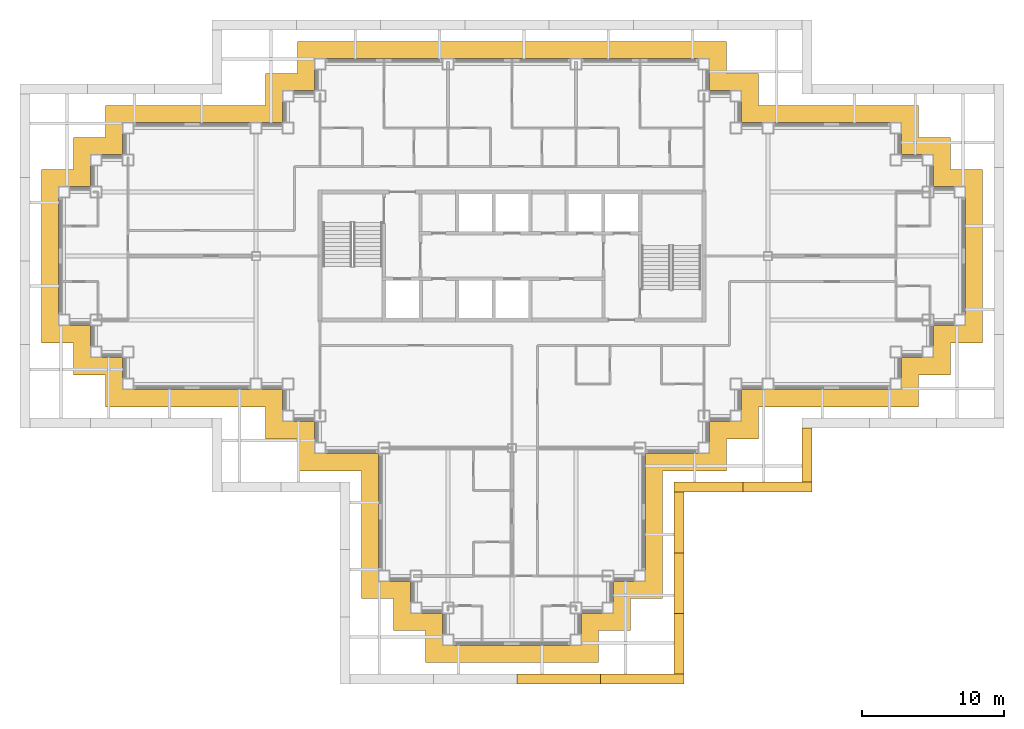
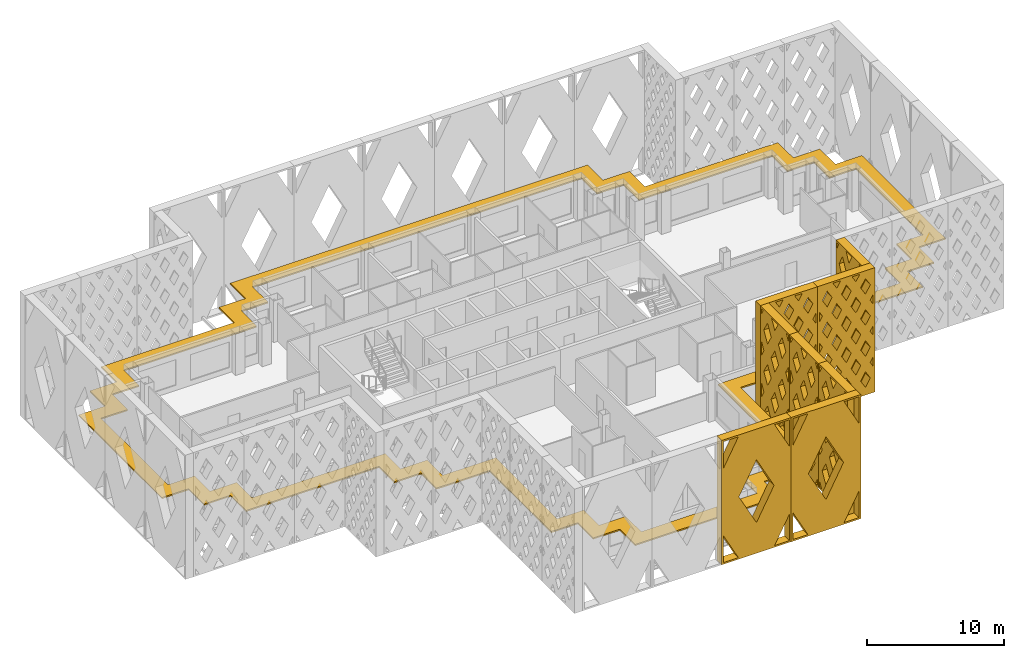
# One storey, part 15 of 18: 9 shading devices.
"""IFC4 building model written with IfcOpenShell, lengths in metres."""

from ifc_helpers import new_model, si_unit, direction, frame, origin, place, context, subcontext, project, spatial, polyline, outline, extrude, material, layer, layer_set, type_object, element, save


model = new_model("IFC4")

# Units and contexts
model_context = context("Model", 3, precision=1e-05, world=origin(), true_north=direction((0.0, 1.0)))
body_context = subcontext(model_context, "Body", "Model", "MODEL_VIEW")
ifc_project = project(units=[si_unit("LENGTHUNIT", "METRE"), si_unit("AREAUNIT", "SQUARE_METRE"), si_unit("VOLUMEUNIT", "CUBIC_METRE"), si_unit("PLANEANGLEUNIT", "RADIAN"), si_unit("MASSUNIT", "GRAM", prefix="KILO")], contexts=[model_context])

# Site, building, storey
site_placement = place(None, origin())
site = spatial("IfcSite", under=ifc_project, at=site_placement, CompositionType="ELEMENT")
building_placement = place(site_placement, origin())
building = spatial("IfcBuilding", under=site, at=building_placement, Name="Caravel Reach Hotel and Residences", CompositionType="ELEMENT")
storey_placement = place(building_placement, frame((0.0, 0.0, 165.39990234375)))
storey = spatial("IfcBuildingStorey", under=building, at=storey_placement, Name="L41", CompositionType="ELEMENT", Elevation=165.39990234375)

# Shading devices
ifc_material_1 = material(Name="Black powder-coated aluminium", Category="aluminium")
shading_device_type_1 = type_object("IfcShadingDeviceType", Name="Diamond lattice screen panel 3800 x 11100", PredefinedType="USERDEFINED", material=ifc_material_1)
shading_device_1_placement = place(storey_placement, frame((51.89990234375, 11.10009765625, 0.0), z_axis=(1.0, 0.0, 0.0), x_axis=(0.0, 1.0, 0.0)))
element("IfcShadingDevice", 1, at=shading_device_1_placement, inside=storey, type_object=shading_device_type_1, Name="Lattice screen L41-L43 5.1", ObjectType="SCREEN", PredefinedType="USERDEFINED", context=body_context, shape_type="SweptSolid", body=[
    extrude(outline(polyline([(0.0, 0.0), (3.800048828125, 0.0), (3.800048828125, 11.10009765625), (0.0, 11.10009765625), (0.0, 0.0)]), holes=[polyline([(0.412109375, 0.14990234375), (0.14990234375, 0.660400390625), (0.14990234375, 0.14990234375), (0.412109375, 0.14990234375)]), polyline([(0.4892578125, 3.699951171875), (0.14990234375, 4.3603515625), (0.14990234375, 3.03955078125), (0.4892578125, 3.699951171875)]), polyline([(0.4892578125, 7.39990234375), (0.14990234375, 8.060302734375), (0.14990234375, 6.739501953125), (0.4892578125, 7.39990234375)]), polyline([(0.14990234375, 10.439697265625), (0.412109375, 10.949951171875), (0.14990234375, 10.949951171875), (0.14990234375, 10.439697265625)]), polyline([(0.949951171875, 2.802490234375), (0.4609375, 1.85009765625), (0.949951171875, 0.8974609375), (1.439208984375, 1.85009765625), (0.949951171875, 2.802490234375)]), polyline([(0.949951171875, 6.50244140625), (0.4609375, 5.550048828125), (0.949951171875, 4.597412109375), (1.439208984375, 5.550048828125), (0.949951171875, 6.50244140625)]), polyline([(0.949951171875, 10.20263671875), (0.4609375, 9.25), (0.949951171875, 8.29736328125), (1.439208984375, 9.25), (0.949951171875, 10.20263671875)]), polyline([(1.89990234375, 0.95263671875), (1.48779296875, 0.14990234375), (2.31201171875, 0.14990234375), (1.89990234375, 0.95263671875)]), polyline([(1.89990234375, 4.652587890625), (1.410888671875, 3.699951171875), (1.89990234375, 2.74755859375), (2.38916015625, 3.699951171875), (1.89990234375, 4.652587890625)]), polyline([(1.89990234375, 8.3525390625), (1.410888671875, 7.39990234375), (1.89990234375, 6.447509765625), (2.38916015625, 7.39990234375), (1.89990234375, 8.3525390625)]), polyline([(1.89990234375, 10.1474609375), (2.31201171875, 10.949951171875), (1.48779296875, 10.949951171875), (1.89990234375, 10.1474609375)]), polyline([(2.85009765625, 2.802490234375), (2.36083984375, 1.85009765625), (2.85009765625, 0.8974609375), (3.339111328125, 1.85009765625), (2.85009765625, 2.802490234375)]), polyline([(2.85009765625, 6.50244140625), (2.36083984375, 5.550048828125), (2.85009765625, 4.597412109375), (3.339111328125, 5.550048828125), (2.85009765625, 6.50244140625)]), polyline([(2.85009765625, 10.20263671875), (2.36083984375, 9.25), (2.85009765625, 8.29736328125), (3.339111328125, 9.25), (2.85009765625, 10.20263671875)]), polyline([(3.64990234375, 0.660400390625), (3.387939453125, 0.14990234375), (3.64990234375, 0.14990234375), (3.64990234375, 0.660400390625)]), polyline([(3.310791015625, 3.699951171875), (3.64990234375, 3.03955078125), (3.64990234375, 4.3603515625), (3.310791015625, 3.699951171875)]), polyline([(3.310791015625, 7.39990234375), (3.64990234375, 6.739501953125), (3.64990234375, 8.060302734375), (3.310791015625, 7.39990234375)]), polyline([(3.387939453125, 10.949951171875), (3.64990234375, 10.439697265625), (3.64990234375, 10.949951171875), (3.387939453125, 10.949951171875)])]), origin(), (0.0, 0.0, 1.0), 0.7001953125),
])
ifc_material_2 = material(Name="Black powder-coated aluminium", Category="aluminium")
shading_device_type_2 = type_object("IfcShadingDeviceType", Name="Diamond lattice screen panel 4267 x 11100", PredefinedType="USERDEFINED", material=ifc_material_2)
shading_device_2_placement = place(storey_placement, frame((42.89990234375, -2.39990234375, 0.0), z_axis=(1.0, 0.0, 0.0), x_axis=(0.0, 1.0, 0.0)))
element("IfcShadingDevice", 2, at=shading_device_2_placement, inside=storey, type_object=shading_device_type_2, Name="Lattice screen L41-L43 3.1", ObjectType="SCREEN", PredefinedType="USERDEFINED", context=body_context, shape_type="SweptSolid", body=[
    extrude(outline(polyline([(0.0, 0.0), (4.2666015625, 0.0), (4.2666015625, 11.10009765625), (0.0, 11.10009765625), (0.0, 0.0)]), holes=[polyline([(0.45947265625, 0.14990234375), (0.14990234375, 0.6865234375), (0.14990234375, 0.14990234375), (0.45947265625, 0.14990234375)]), polyline([(0.5458984375, 3.699951171875), (0.14990234375, 4.386474609375), (0.14990234375, 3.013427734375), (0.5458984375, 3.699951171875)]), polyline([(0.5458984375, 7.39990234375), (0.14990234375, 8.086669921875), (0.14990234375, 6.71337890625), (0.5458984375, 7.39990234375)]), polyline([(0.14990234375, 10.413330078125), (0.45947265625, 10.949951171875), (0.14990234375, 10.949951171875), (0.14990234375, 10.413330078125)]), polyline([(1.066650390625, 2.796630859375), (0.520751953125, 1.85009765625), (1.066650390625, 0.9033203125), (1.612548828125, 1.85009765625), (1.066650390625, 2.796630859375)]), polyline([(1.066650390625, 6.496826171875), (0.520751953125, 5.550048828125), (1.066650390625, 4.603271484375), (1.612548828125, 5.550048828125), (1.066650390625, 6.496826171875)]), polyline([(1.066650390625, 10.19677734375), (0.520751953125, 9.25), (1.066650390625, 8.30322265625), (1.612548828125, 9.25), (1.066650390625, 10.19677734375)]), polyline([(2.13330078125, 0.94677734375), (1.674072265625, 0.14990234375), (2.5927734375, 0.14990234375), (2.13330078125, 0.94677734375)]), polyline([(2.13330078125, 4.646728515625), (1.58740234375, 3.699951171875), (2.13330078125, 2.753173828125), (2.67919921875, 3.699951171875), (2.13330078125, 4.646728515625)]), polyline([(2.13330078125, 8.3466796875), (1.58740234375, 7.39990234375), (2.13330078125, 6.453369140625), (2.67919921875, 7.39990234375), (2.13330078125, 8.3466796875)]), polyline([(2.13330078125, 10.1533203125), (2.5927734375, 10.949951171875), (1.674072265625, 10.949951171875), (2.13330078125, 10.1533203125)]), polyline([(3.199951171875, 2.796630859375), (2.654052734375, 1.85009765625), (3.199951171875, 0.9033203125), (3.745849609375, 1.85009765625), (3.199951171875, 2.796630859375)]), polyline([(3.199951171875, 6.496826171875), (2.654052734375, 5.550048828125), (3.199951171875, 4.603271484375), (3.745849609375, 5.550048828125), (3.199951171875, 6.496826171875)]), polyline([(3.199951171875, 10.19677734375), (2.654052734375, 9.25), (3.199951171875, 8.30322265625), (3.745849609375, 9.25), (3.199951171875, 10.19677734375)]), polyline([(4.11669921875, 0.6865234375), (3.807373046875, 0.14990234375), (4.11669921875, 0.14990234375), (4.11669921875, 0.6865234375)]), polyline([(3.720703125, 3.699951171875), (4.11669921875, 3.013427734375), (4.11669921875, 4.386474609375), (3.720703125, 3.699951171875)]), polyline([(3.720703125, 7.39990234375), (4.11669921875, 6.71337890625), (4.11669921875, 8.086669921875), (3.720703125, 7.39990234375)]), polyline([(3.807373046875, 10.949951171875), (4.11669921875, 10.413330078125), (4.11669921875, 10.949951171875), (3.807373046875, 10.949951171875)])]), origin(), (0.0, 0.0, 1.0), 0.7001953125),
])
shading_device_3_placement = place(storey_placement, frame((42.89990234375, 1.86669921875, 0.0), z_axis=(1.0, 0.0, 0.0), x_axis=(0.0, 1.0, 0.0)))
element("IfcShadingDevice", 3, at=shading_device_3_placement, inside=storey, type_object=shading_device_type_2, Name="Lattice screen L41-L43 3.2", ObjectType="SCREEN", PredefinedType="USERDEFINED", context=body_context, shape_type="SweptSolid", body=[
    extrude(outline(polyline([(0.0, 0.0), (4.2666015625, 0.0), (4.2666015625, 11.10009765625), (0.0, 11.10009765625), (0.0, 0.0)]), holes=[polyline([(0.45947265625, 0.14990234375), (0.14990234375, 0.6865234375), (0.14990234375, 0.14990234375), (0.45947265625, 0.14990234375)]), polyline([(0.5458984375, 3.699951171875), (0.14990234375, 4.386474609375), (0.14990234375, 3.013427734375), (0.5458984375, 3.699951171875)]), polyline([(0.5458984375, 7.39990234375), (0.14990234375, 8.086669921875), (0.14990234375, 6.71337890625), (0.5458984375, 7.39990234375)]), polyline([(0.14990234375, 10.413330078125), (0.45947265625, 10.949951171875), (0.14990234375, 10.949951171875), (0.14990234375, 10.413330078125)]), polyline([(1.066650390625, 2.796630859375), (0.520751953125, 1.85009765625), (1.066650390625, 0.9033203125), (1.612548828125, 1.85009765625), (1.066650390625, 2.796630859375)]), polyline([(1.066650390625, 6.496826171875), (0.520751953125, 5.550048828125), (1.066650390625, 4.603271484375), (1.612548828125, 5.550048828125), (1.066650390625, 6.496826171875)]), polyline([(1.066650390625, 10.19677734375), (0.520751953125, 9.25), (1.066650390625, 8.30322265625), (1.612548828125, 9.25), (1.066650390625, 10.19677734375)]), polyline([(2.13330078125, 0.94677734375), (1.674072265625, 0.14990234375), (2.5927734375, 0.14990234375), (2.13330078125, 0.94677734375)]), polyline([(2.13330078125, 4.646728515625), (1.58740234375, 3.699951171875), (2.13330078125, 2.753173828125), (2.67919921875, 3.699951171875), (2.13330078125, 4.646728515625)]), polyline([(2.13330078125, 8.3466796875), (1.58740234375, 7.39990234375), (2.13330078125, 6.453369140625), (2.67919921875, 7.39990234375), (2.13330078125, 8.3466796875)]), polyline([(2.13330078125, 10.1533203125), (2.5927734375, 10.949951171875), (1.674072265625, 10.949951171875), (2.13330078125, 10.1533203125)]), polyline([(3.199951171875, 2.796630859375), (2.654052734375, 1.85009765625), (3.199951171875, 0.9033203125), (3.745849609375, 1.85009765625), (3.199951171875, 2.796630859375)]), polyline([(3.199951171875, 6.496826171875), (2.654052734375, 5.550048828125), (3.199951171875, 4.603271484375), (3.745849609375, 5.550048828125), (3.199951171875, 6.496826171875)]), polyline([(3.199951171875, 10.19677734375), (2.654052734375, 9.25), (3.199951171875, 8.30322265625), (3.745849609375, 9.25), (3.199951171875, 10.19677734375)]), polyline([(4.11669921875, 0.6865234375), (3.807373046875, 0.14990234375), (4.11669921875, 0.14990234375), (4.11669921875, 0.6865234375)]), polyline([(3.720703125, 3.699951171875), (4.11669921875, 3.013427734375), (4.11669921875, 4.386474609375), (3.720703125, 3.699951171875)]), polyline([(3.720703125, 7.39990234375), (4.11669921875, 6.71337890625), (4.11669921875, 8.086669921875), (3.720703125, 7.39990234375)]), polyline([(3.807373046875, 10.949951171875), (4.11669921875, 10.413330078125), (4.11669921875, 10.949951171875), (3.807373046875, 10.949951171875)])]), origin(), (0.0, 0.0, 1.0), 0.7001953125),
])
shading_device_4_placement = place(storey_placement, frame((42.89990234375, 6.13330078125, 0.0), z_axis=(1.0, 0.0, 0.0), x_axis=(0.0, 1.0, 0.0)))
element("IfcShadingDevice", 4, at=shading_device_4_placement, inside=storey, type_object=shading_device_type_2, Name="Lattice screen L41-L43 3.3", ObjectType="SCREEN", PredefinedType="USERDEFINED", context=body_context, shape_type="SweptSolid", body=[
    extrude(outline(polyline([(0.0, 0.0), (4.2666015625, 0.0), (4.2666015625, 11.10009765625), (0.0, 11.10009765625), (0.0, 0.0)]), holes=[polyline([(0.45947265625, 0.14990234375), (0.14990234375, 0.6865234375), (0.14990234375, 0.14990234375), (0.45947265625, 0.14990234375)]), polyline([(0.5458984375, 3.699951171875), (0.14990234375, 4.386474609375), (0.14990234375, 3.013427734375), (0.5458984375, 3.699951171875)]), polyline([(0.5458984375, 7.39990234375), (0.14990234375, 8.086669921875), (0.14990234375, 6.71337890625), (0.5458984375, 7.39990234375)]), polyline([(0.14990234375, 10.413330078125), (0.45947265625, 10.949951171875), (0.14990234375, 10.949951171875), (0.14990234375, 10.413330078125)]), polyline([(1.066650390625, 2.796630859375), (0.520751953125, 1.85009765625), (1.066650390625, 0.9033203125), (1.612548828125, 1.85009765625), (1.066650390625, 2.796630859375)]), polyline([(1.066650390625, 6.496826171875), (0.520751953125, 5.550048828125), (1.066650390625, 4.603271484375), (1.612548828125, 5.550048828125), (1.066650390625, 6.496826171875)]), polyline([(1.066650390625, 10.19677734375), (0.520751953125, 9.25), (1.066650390625, 8.30322265625), (1.612548828125, 9.25), (1.066650390625, 10.19677734375)]), polyline([(2.13330078125, 0.94677734375), (1.674072265625, 0.14990234375), (2.5927734375, 0.14990234375), (2.13330078125, 0.94677734375)]), polyline([(2.13330078125, 4.646728515625), (1.58740234375, 3.699951171875), (2.13330078125, 2.753173828125), (2.67919921875, 3.699951171875), (2.13330078125, 4.646728515625)]), polyline([(2.13330078125, 8.3466796875), (1.58740234375, 7.39990234375), (2.13330078125, 6.453369140625), (2.67919921875, 7.39990234375), (2.13330078125, 8.3466796875)]), polyline([(2.13330078125, 10.1533203125), (2.5927734375, 10.949951171875), (1.674072265625, 10.949951171875), (2.13330078125, 10.1533203125)]), polyline([(3.199951171875, 2.796630859375), (2.654052734375, 1.85009765625), (3.199951171875, 0.9033203125), (3.745849609375, 1.85009765625), (3.199951171875, 2.796630859375)]), polyline([(3.199951171875, 6.496826171875), (2.654052734375, 5.550048828125), (3.199951171875, 4.603271484375), (3.745849609375, 5.550048828125), (3.199951171875, 6.496826171875)]), polyline([(3.199951171875, 10.19677734375), (2.654052734375, 9.25), (3.199951171875, 8.30322265625), (3.745849609375, 9.25), (3.199951171875, 10.19677734375)]), polyline([(4.11669921875, 0.6865234375), (3.807373046875, 0.14990234375), (4.11669921875, 0.14990234375), (4.11669921875, 0.6865234375)]), polyline([(3.720703125, 3.699951171875), (4.11669921875, 3.013427734375), (4.11669921875, 4.386474609375), (3.720703125, 3.699951171875)]), polyline([(3.720703125, 7.39990234375), (4.11669921875, 6.71337890625), (4.11669921875, 8.086669921875), (3.720703125, 7.39990234375)]), polyline([(3.807373046875, 10.949951171875), (4.11669921875, 10.413330078125), (4.11669921875, 10.949951171875), (3.807373046875, 10.949951171875)])]), origin(), (0.0, 0.0, 1.0), 0.7001953125),
])
ifc_material_3 = material(Name="Black powder-coated aluminium", Category="aluminium")
shading_device_type_3 = type_object("IfcShadingDeviceType", Name="Diamond lattice screen panel 4850 x 11100", PredefinedType="USERDEFINED", material=ifc_material_3)
shading_device_5_placement = place(storey_placement, frame((42.89990234375, 11.10009765625, 0.0), z_axis=(0.0, -1.0, 0.0), x_axis=(1.0, 0.0, 0.0)))
element("IfcShadingDevice", 5, at=shading_device_5_placement, inside=storey, type_object=shading_device_type_3, Name="Lattice screen L41-L43 4.1", ObjectType="SCREEN", PredefinedType="USERDEFINED", context=body_context, shape_type="SweptSolid", body=[
    extrude(outline(polyline([(0.0, 0.0), (4.85009765625, 0.0), (4.85009765625, 11.10009765625), (0.0, 11.10009765625), (0.0, 0.0)]), holes=[polyline([(0.41064453125, 2.77490234375), (0.14990234375, 3.22265625), (0.14990234375, 2.327392578125), (0.41064453125, 2.77490234375)]), polyline([(0.41064453125, 5.550048828125), (0.14990234375, 5.99755859375), (0.14990234375, 5.1025390625), (0.41064453125, 5.550048828125)]), polyline([(0.41064453125, 8.324951171875), (0.14990234375, 8.7724609375), (0.14990234375, 7.87744140625), (0.41064453125, 8.324951171875)]), polyline([(0.808349609375, 2.092529296875), (0.397705078125, 1.387451171875), (0.808349609375, 0.682373046875), (1.218994140625, 1.387451171875), (0.808349609375, 2.092529296875)]), polyline([(0.808349609375, 4.867431640625), (0.397705078125, 4.16259765625), (0.808349609375, 3.45751953125), (1.218994140625, 4.16259765625), (0.808349609375, 4.867431640625)]), polyline([(0.808349609375, 7.642578125), (0.397705078125, 6.9375), (0.808349609375, 6.232421875), (1.218994140625, 6.9375), (0.808349609375, 7.642578125)]), polyline([(0.808349609375, 10.41748046875), (0.397705078125, 9.71240234375), (0.808349609375, 9.007568359375), (1.218994140625, 9.71240234375), (0.808349609375, 10.41748046875)]), polyline([(1.61669921875, 0.705078125), (1.293212890625, 0.14990234375), (1.93994140625, 0.14990234375), (1.61669921875, 0.705078125)]), polyline([(1.61669921875, 3.47998046875), (1.205810546875, 2.77490234375), (1.61669921875, 2.070068359375), (2.02734375, 2.77490234375), (1.61669921875, 3.47998046875)]), polyline([(1.61669921875, 6.255126953125), (1.205810546875, 5.550048828125), (1.61669921875, 4.844970703125), (2.02734375, 5.550048828125), (1.61669921875, 6.255126953125)]), polyline([(1.61669921875, 9.030029296875), (1.205810546875, 8.324951171875), (1.61669921875, 7.619873046875), (2.02734375, 8.324951171875), (1.61669921875, 9.030029296875)]), polyline([(1.61669921875, 10.39501953125), (1.93994140625, 10.949951171875), (1.293212890625, 10.949951171875), (1.61669921875, 10.39501953125)]), polyline([(2.425048828125, 2.092529296875), (2.01416015625, 1.387451171875), (2.425048828125, 0.682373046875), (2.835693359375, 1.387451171875), (2.425048828125, 2.092529296875)]), polyline([(2.425048828125, 4.867431640625), (2.01416015625, 4.16259765625), (2.425048828125, 3.45751953125), (2.835693359375, 4.16259765625), (2.425048828125, 4.867431640625)]), polyline([(2.425048828125, 7.642578125), (2.01416015625, 6.9375), (2.425048828125, 6.232421875), (2.835693359375, 6.9375), (2.425048828125, 7.642578125)]), polyline([(2.425048828125, 10.41748046875), (2.01416015625, 9.71240234375), (2.425048828125, 9.007568359375), (2.835693359375, 9.71240234375), (2.425048828125, 10.41748046875)]), polyline([(3.2333984375, 0.705078125), (2.909912109375, 0.14990234375), (3.556640625, 0.14990234375), (3.2333984375, 0.705078125)]), polyline([(3.2333984375, 3.47998046875), (2.822509765625, 2.77490234375), (3.2333984375, 2.070068359375), (3.64404296875, 2.77490234375), (3.2333984375, 3.47998046875)]), polyline([(3.2333984375, 6.255126953125), (2.822509765625, 5.550048828125), (3.2333984375, 4.844970703125), (3.64404296875, 5.550048828125), (3.2333984375, 6.255126953125)]), polyline([(3.2333984375, 9.030029296875), (2.822509765625, 8.324951171875), (3.2333984375, 7.619873046875), (3.64404296875, 8.324951171875), (3.2333984375, 9.030029296875)]), polyline([(3.2333984375, 10.39501953125), (3.556640625, 10.949951171875), (2.909912109375, 10.949951171875), (3.2333984375, 10.39501953125)]), polyline([(4.041748046875, 2.092529296875), (3.630859375, 1.387451171875), (4.041748046875, 0.682373046875), (4.452392578125, 1.387451171875), (4.041748046875, 2.092529296875)]), polyline([(4.041748046875, 4.867431640625), (3.630859375, 4.16259765625), (4.041748046875, 3.45751953125), (4.452392578125, 4.16259765625), (4.041748046875, 4.867431640625)]), polyline([(4.041748046875, 7.642578125), (3.630859375, 6.9375), (4.041748046875, 6.232421875), (4.452392578125, 6.9375), (4.041748046875, 7.642578125)]), polyline([(4.041748046875, 10.41748046875), (3.630859375, 9.71240234375), (4.041748046875, 9.007568359375), (4.452392578125, 9.71240234375), (4.041748046875, 10.41748046875)]), polyline([(4.439208984375, 2.77490234375), (4.699951171875, 2.327392578125), (4.699951171875, 3.22265625), (4.439208984375, 2.77490234375)]), polyline([(4.439208984375, 5.550048828125), (4.699951171875, 5.1025390625), (4.699951171875, 5.99755859375), (4.439208984375, 5.550048828125)]), polyline([(4.439208984375, 8.324951171875), (4.699951171875, 7.87744140625), (4.699951171875, 8.7724609375), (4.439208984375, 8.324951171875)])]), origin(), (0.0, 0.0, 1.0), 0.7001953125),
])
shading_device_6_placement = place(storey_placement, frame((47.75, 11.10009765625, 0.0), z_axis=(0.0, -1.0, 0.0), x_axis=(1.0, 0.0, 0.0)))
element("IfcShadingDevice", 6, at=shading_device_6_placement, inside=storey, type_object=shading_device_type_3, Name="Lattice screen L41-L43 4.2", ObjectType="SCREEN", PredefinedType="USERDEFINED", context=body_context, shape_type="SweptSolid", body=[
    extrude(outline(polyline([(0.0, 0.0), (4.85009765625, 0.0), (4.85009765625, 11.10009765625), (0.0, 11.10009765625), (0.0, 0.0)]), holes=[polyline([(0.41064453125, 2.77490234375), (0.14990234375, 3.22265625), (0.14990234375, 2.327392578125), (0.41064453125, 2.77490234375)]), polyline([(0.41064453125, 5.550048828125), (0.14990234375, 5.99755859375), (0.14990234375, 5.1025390625), (0.41064453125, 5.550048828125)]), polyline([(0.41064453125, 8.324951171875), (0.14990234375, 8.7724609375), (0.14990234375, 7.87744140625), (0.41064453125, 8.324951171875)]), polyline([(0.808349609375, 2.092529296875), (0.397705078125, 1.387451171875), (0.808349609375, 0.682373046875), (1.218994140625, 1.387451171875), (0.808349609375, 2.092529296875)]), polyline([(0.808349609375, 4.867431640625), (0.397705078125, 4.16259765625), (0.808349609375, 3.45751953125), (1.218994140625, 4.16259765625), (0.808349609375, 4.867431640625)]), polyline([(0.808349609375, 7.642578125), (0.397705078125, 6.9375), (0.808349609375, 6.232421875), (1.218994140625, 6.9375), (0.808349609375, 7.642578125)]), polyline([(0.808349609375, 10.41748046875), (0.397705078125, 9.71240234375), (0.808349609375, 9.007568359375), (1.218994140625, 9.71240234375), (0.808349609375, 10.41748046875)]), polyline([(1.61669921875, 0.705078125), (1.293212890625, 0.14990234375), (1.93994140625, 0.14990234375), (1.61669921875, 0.705078125)]), polyline([(1.61669921875, 3.47998046875), (1.205810546875, 2.77490234375), (1.61669921875, 2.070068359375), (2.02734375, 2.77490234375), (1.61669921875, 3.47998046875)]), polyline([(1.61669921875, 6.255126953125), (1.205810546875, 5.550048828125), (1.61669921875, 4.844970703125), (2.02734375, 5.550048828125), (1.61669921875, 6.255126953125)]), polyline([(1.61669921875, 9.030029296875), (1.205810546875, 8.324951171875), (1.61669921875, 7.619873046875), (2.02734375, 8.324951171875), (1.61669921875, 9.030029296875)]), polyline([(1.61669921875, 10.39501953125), (1.93994140625, 10.949951171875), (1.293212890625, 10.949951171875), (1.61669921875, 10.39501953125)]), polyline([(2.425048828125, 2.092529296875), (2.01416015625, 1.387451171875), (2.425048828125, 0.682373046875), (2.835693359375, 1.387451171875), (2.425048828125, 2.092529296875)]), polyline([(2.425048828125, 4.867431640625), (2.01416015625, 4.16259765625), (2.425048828125, 3.45751953125), (2.835693359375, 4.16259765625), (2.425048828125, 4.867431640625)]), polyline([(2.425048828125, 7.642578125), (2.01416015625, 6.9375), (2.425048828125, 6.232421875), (2.835693359375, 6.9375), (2.425048828125, 7.642578125)]), polyline([(2.425048828125, 10.41748046875), (2.01416015625, 9.71240234375), (2.425048828125, 9.007568359375), (2.835693359375, 9.71240234375), (2.425048828125, 10.41748046875)]), polyline([(3.2333984375, 0.705078125), (2.909912109375, 0.14990234375), (3.556640625, 0.14990234375), (3.2333984375, 0.705078125)]), polyline([(3.2333984375, 3.47998046875), (2.822509765625, 2.77490234375), (3.2333984375, 2.070068359375), (3.64404296875, 2.77490234375), (3.2333984375, 3.47998046875)]), polyline([(3.2333984375, 6.255126953125), (2.822509765625, 5.550048828125), (3.2333984375, 4.844970703125), (3.64404296875, 5.550048828125), (3.2333984375, 6.255126953125)]), polyline([(3.2333984375, 9.030029296875), (2.822509765625, 8.324951171875), (3.2333984375, 7.619873046875), (3.64404296875, 8.324951171875), (3.2333984375, 9.030029296875)]), polyline([(3.2333984375, 10.39501953125), (3.556640625, 10.949951171875), (2.909912109375, 10.949951171875), (3.2333984375, 10.39501953125)]), polyline([(4.041748046875, 2.092529296875), (3.630859375, 1.387451171875), (4.041748046875, 0.682373046875), (4.452392578125, 1.387451171875), (4.041748046875, 2.092529296875)]), polyline([(4.041748046875, 4.867431640625), (3.630859375, 4.16259765625), (4.041748046875, 3.45751953125), (4.452392578125, 4.16259765625), (4.041748046875, 4.867431640625)]), polyline([(4.041748046875, 7.642578125), (3.630859375, 6.9375), (4.041748046875, 6.232421875), (4.452392578125, 6.9375), (4.041748046875, 7.642578125)]), polyline([(4.041748046875, 10.41748046875), (3.630859375, 9.71240234375), (4.041748046875, 9.007568359375), (4.452392578125, 9.71240234375), (4.041748046875, 10.41748046875)]), polyline([(4.439208984375, 2.77490234375), (4.699951171875, 2.327392578125), (4.699951171875, 3.22265625), (4.439208984375, 2.77490234375)]), polyline([(4.439208984375, 5.550048828125), (4.699951171875, 5.1025390625), (4.699951171875, 5.99755859375), (4.439208984375, 5.550048828125)]), polyline([(4.439208984375, 8.324951171875), (4.699951171875, 7.87744140625), (4.699951171875, 8.7724609375), (4.439208984375, 8.324951171875)])]), origin(), (0.0, 0.0, 1.0), 0.7001953125),
])
ifc_material_4 = material(Name="Black powder-coated aluminium", Category="aluminium")
shading_device_type_4 = type_object("IfcShadingDeviceType", Name="Diamond lattice screen panel 5875 x 11100", PredefinedType="USERDEFINED", material=ifc_material_4)
for number, where, z_axis, x_axis, name in (
    (7, (31.85009765625, -2.39990234375, 0.0), (0.0, -1.0, 0.0), (1.0, 0.0, 0.0), "Lattice screen L41-L43 2.3"),
    (8, (37.72509765625, -2.39990234375, 0.0), (0.0, -1.0, 0.0), (1.0, 0.0, 0.0), "Lattice screen L41-L43 2.4"),
):
    element("IfcShadingDevice", number, at=place(storey_placement, frame(where, z_axis=z_axis, x_axis=x_axis)), inside=storey, type_object=shading_device_type_4, Name=name, ObjectType="SCREEN", PredefinedType="USERDEFINED", context=body_context, shape_type="SweptSolid", body=[
        extrude(outline(polyline([(0.0, 0.0), (5.875, 0.0), (5.875, 11.10009765625), (0.0, 11.10009765625), (0.0, 0.0)]), holes=[polyline([(1.408447265625, 0.14990234375), (0.14990234375, 2.52734375), (0.14990234375, 0.14990234375), (1.408447265625, 0.14990234375)]), polyline([(0.14990234375, 8.572509765625), (1.408447265625, 10.949951171875), (0.14990234375, 10.949951171875), (0.14990234375, 8.572509765625)]), polyline([(2.9375, 8.36083984375), (1.44970703125, 5.550048828125), (2.9375, 2.7392578125), (4.42529296875, 5.550048828125), (2.9375, 8.36083984375)]), polyline([(5.72509765625, 2.52734375), (4.466552734375, 0.14990234375), (5.72509765625, 0.14990234375), (5.72509765625, 2.52734375)]), polyline([(4.466552734375, 10.949951171875), (5.72509765625, 8.572509765625), (5.72509765625, 10.949951171875), (4.466552734375, 10.949951171875)])]), origin(), (0.0, 0.0, 1.0), 0.7001953125),
    ])
ifc_material_5 = material(Name="Black powder-coated aluminium", Category="aluminium")
ifc_layer = layer(ifc_material_5, 0.1201171875)
ifc_layer_set = layer_set([ifc_layer], Name="SS1 Sunshade band 1200")
shading_device_type_5 = type_object("IfcShadingDeviceType", Name="SS1 Sunshade band 1200", PredefinedType="USERDEFINED", material=ifc_layer_set)
shading_device_7_placement = place(storey_placement, frame((0.0, 0.0, 3.0400390625)))
element("IfcShadingDevice", 9, at=shading_device_7_placement, inside=storey, type_object=shading_device_type_5, Name="Sunshade L41 1", ObjectType="SUNSHADE", PredefinedType="USERDEFINED", context=body_context, shape_type="SweptSolid", body=[
    extrude(outline(polyline([(20.89990234375, 11.89990234375), (20.89990234375, 2.89990234375), (23.14990234375, 2.89990234375), (23.14990234375, 0.64990234375), (25.39990234375, 0.64990234375), (25.39990234375, -1.60009765625), (37.60009765625, -1.60009765625), (37.60009765625, 0.64990234375), (39.85009765625, 0.64990234375), (39.85009765625, 2.89990234375), (42.10009765625, 2.89990234375), (42.10009765625, 11.89990234375), (46.60009765625, 11.89990234375), (46.60009765625, 14.14990234375), (48.85009765625, 14.14990234375), (48.85009765625, 16.39990234375), (60.10009765625, 16.39990234375), (60.10009765625, 18.64990234375), (62.35009765625, 18.64990234375), (62.35009765625, 20.89990234375), (64.60009765625, 20.89990234375), (64.60009765625, 33.10009765625), (62.35009765625, 33.10009765625), (62.35009765625, 35.35009765625), (60.10009765625, 35.35009765625), (60.10009765625, 37.60009765625), (48.85009765625, 37.60009765625), (48.85009765625, 39.85009765625), (46.60009765625, 39.85009765625), (46.60009765625, 42.10009765625), (16.39990234375, 42.10009765625), (16.39990234375, 39.85009765625), (14.14990234375, 39.85009765625), (14.14990234375, 37.60009765625), (2.89990234375, 37.60009765625), (2.89990234375, 35.35009765625), (0.64990234375, 35.35009765625), (0.64990234375, 33.10009765625), (-1.60009765625, 33.10009765625), (-1.60009765625, 20.89990234375), (0.64990234375, 20.89990234375), (0.64990234375, 18.64990234375), (2.89990234375, 18.64990234375), (2.89990234375, 16.39990234375), (14.14990234375, 16.39990234375), (14.14990234375, 14.14990234375), (16.39990234375, 14.14990234375), (16.39990234375, 11.89990234375), (20.89990234375, 11.89990234375)]), holes=[polyline([(24.35009765625, 4.10009765625), (22.10009765625, 4.10009765625), (22.10009765625, 13.10009765625), (17.60009765625, 13.10009765625), (17.60009765625, 15.35009765625), (15.35009765625, 15.35009765625), (15.35009765625, 17.60009765625), (4.10009765625, 17.60009765625), (4.10009765625, 19.85009765625), (1.85009765625, 19.85009765625), (1.85009765625, 22.10009765625), (-0.39990234375, 22.10009765625), (-0.39990234375, 31.89990234375), (1.85009765625, 31.89990234375), (1.85009765625, 34.14990234375), (4.10009765625, 34.14990234375), (4.10009765625, 36.39990234375), (15.35009765625, 36.39990234375), (15.35009765625, 38.64990234375), (17.60009765625, 38.64990234375), (17.60009765625, 40.89990234375), (45.39990234375, 40.89990234375), (45.39990234375, 38.64990234375), (47.64990234375, 38.64990234375), (47.64990234375, 36.39990234375), (58.89990234375, 36.39990234375), (58.89990234375, 34.14990234375), (61.14990234375, 34.14990234375), (61.14990234375, 31.89990234375), (63.39990234375, 31.89990234375), (63.39990234375, 22.10009765625), (61.14990234375, 22.10009765625), (61.14990234375, 19.85009765625), (58.89990234375, 19.85009765625), (58.89990234375, 17.60009765625), (47.64990234375, 17.60009765625), (47.64990234375, 15.35009765625), (45.39990234375, 15.35009765625), (45.39990234375, 13.10009765625), (40.89990234375, 13.10009765625), (40.89990234375, 4.10009765625), (38.64990234375, 4.10009765625), (38.64990234375, 1.85009765625), (36.39990234375, 1.85009765625), (36.39990234375, -0.39990234375), (26.60009765625, -0.39990234375), (26.60009765625, 1.85009765625), (24.35009765625, 1.85009765625), (24.35009765625, 4.10009765625)])]), origin(), (0.0, 0.0, 1.0), 0.1201171875),
])

save(model, "model.ifc")
